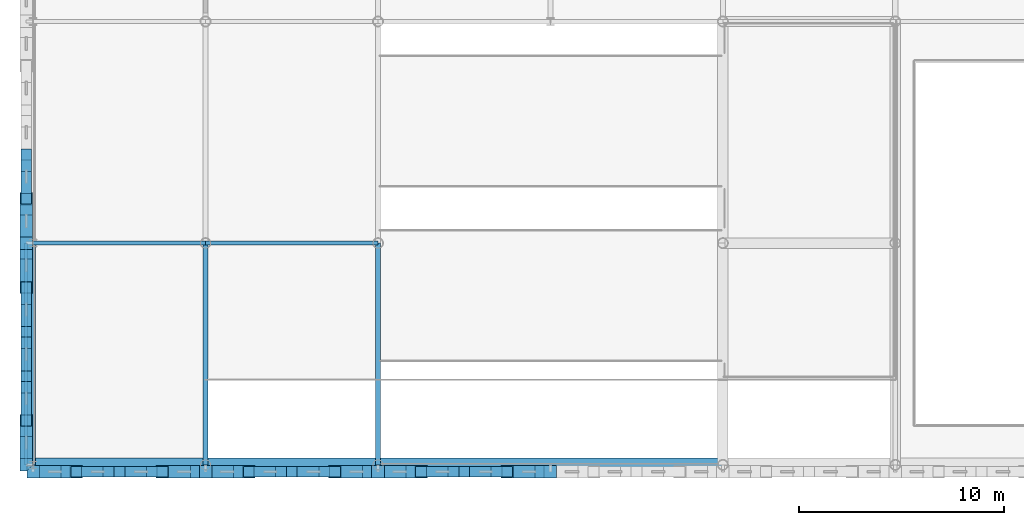
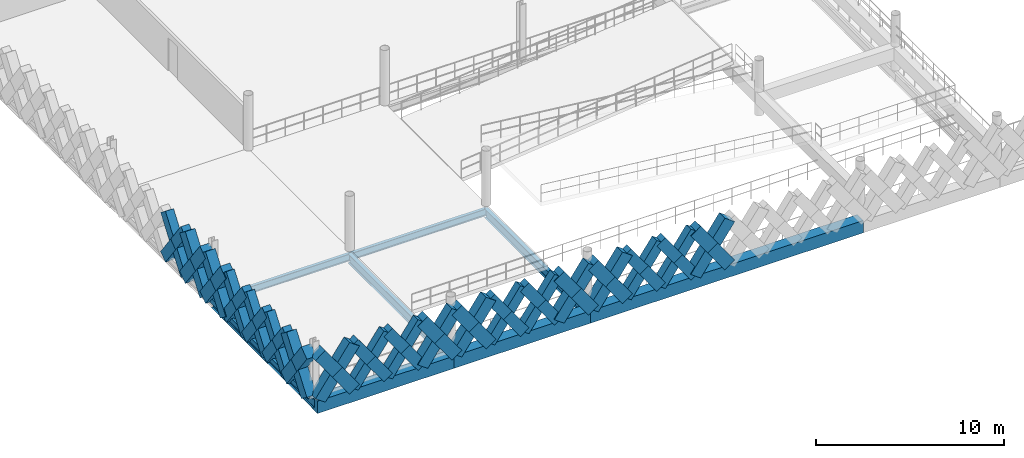
# One storey, part 14 of 62: 58 members, 8 beams.
"""IFC4 building model written with IfcOpenShell, lengths in metres."""

from ifc_helpers import new_model, si_unit, direction, frame, origin, origin_2d, place, context, subcontext, project, spatial, rectangle, hollow_rectangle, i_section, extrude, material, material_profile, profile_set, type_object, element, save


model = new_model("IFC4")

# Units and contexts
model_context = context("Model", 3, precision=1e-05, world=origin(), true_north=direction((0.0, 1.0)))
body_context = subcontext(model_context, "Body", "Model", "MODEL_VIEW")
ifc_project = project(units=[si_unit("LENGTHUNIT", "METRE"), si_unit("AREAUNIT", "SQUARE_METRE"), si_unit("VOLUMEUNIT", "CUBIC_METRE"), si_unit("PLANEANGLEUNIT", "RADIAN"), si_unit("MASSUNIT", "GRAM", prefix="KILO"), si_unit("THERMODYNAMICTEMPERATUREUNIT", "KELVIN"), si_unit("POWERUNIT", "WATT")], contexts=[model_context])

# Site, building, storey
site_placement = place(None, origin())
site = spatial("IfcSite", under=ifc_project, at=site_placement, CompositionType="ELEMENT")
building_placement = place(site_placement, origin())
building = spatial("IfcBuilding", under=site, at=building_placement, Name="Tembeka Court Mobility Hub", CompositionType="ELEMENT")
storey_placement = place(building_placement, frame((0.0, 0.0, 16.199951171875)))
storey = spatial("IfcBuildingStorey", under=building, at=storey_placement, Name="L04", CompositionType="ELEMENT", Elevation=16.199951171875)

# Beams
ifc_material_1 = material(Name="Steel S355", Category="steel")
ifc_material_profile_1 = material_profile(ifc_material_1, i_section(OverallWidth=0.18994140625, OverallDepth=0.45703125, WebThickness=0.009033203125, FlangeThickness=0.014404296875, FilletRadius=0.01025390625, at=origin_2d()), Name="UKB 457x191x74")
ifc_profile_set_1 = profile_set([ifc_material_profile_1], Name="Steel S355")
beam_type_1 = type_object("IfcBeamType", Name="BM-B01", PredefinedType="BEAM", material=ifc_profile_set_1)
beam_1_placement = place(storey_placement, frame((0.0, 10.800048828125, -0.478515625), z_axis=(1.0, 0.0, 0.0), x_axis=(0.0, 1.0, 0.0)))
element("IfcBeam", 1, at=beam_1_placement, inside=storey, type_object=beam_type_1, Name="Beam B01 (BM-L04-X2199)", PredefinedType="BEAM", context=body_context, shape_type="SweptSolid", body=[
    extrude(i_section(OverallWidth=0.18994140625, OverallDepth=0.45703125, WebThickness=0.009033203125, FlangeThickness=0.014404296875, FilletRadius=0.01025390625, at=origin_2d()), origin(), (0.0, 0.0, 1.0), 8.39990234375),
])
beam_2_placement = place(storey_placement, frame((8.39990234375, 10.800048828125, -0.478515625), z_axis=(1.0, 0.0, 0.0), x_axis=(0.0, 1.0, 0.0)))
element("IfcBeam", 2, at=beam_2_placement, inside=storey, type_object=beam_type_1, Name="Beam B01 (BM-L04-X2200)", PredefinedType="BEAM", context=body_context, shape_type="SweptSolid", body=[
    extrude(i_section(OverallWidth=0.18994140625, OverallDepth=0.45703125, WebThickness=0.009033203125, FlangeThickness=0.014404296875, FilletRadius=0.01025390625, at=origin_2d()), origin(), (0.0, 0.0, 1.0), 8.400146484375),
])
ifc_material_profile_2 = material_profile(ifc_material_1, i_section(OverallWidth=0.22900390625, OverallDepth=0.612060546875, WebThickness=0.011962890625, FlangeThickness=0.01953125, FilletRadius=0.0126953125, at=origin_2d()), Name="UKB 610x229x125")
ifc_profile_set_2 = profile_set([ifc_material_profile_2], Name="Steel S355")
beam_type_2 = type_object("IfcBeamType", Name="BM-G02", PredefinedType="USERDEFINED", material=ifc_profile_set_2)
for number, where, z_axis, x_axis, name in (
    (3, (0.0, 0.0, -0.52587890625), (0.0, 1.0, 0.0), (-1.0, 0.0, 0.0), "Beam G02 (BM-L04-Y2313)"),
    (4, (8.39990234375, 0.0, -0.555908203125), (0.0, 1.0, 0.0), (-1.0, 0.0, 0.0), "Beam G02 (BM-L04-Y2324)"),
    (5, (16.800048828125, 0.0, -0.555908203125), (0.0, 1.0, 0.0), (-1.0, 0.0, 0.0), "Beam G02 (BM-L04-Y2335)"),
):
    element("IfcBeam", number, at=place(storey_placement, frame(where, z_axis=z_axis, x_axis=x_axis)), inside=storey, type_object=beam_type_2, Name=name, ObjectType="GIRDER", PredefinedType="USERDEFINED", context=body_context, shape_type="SweptSolid", body=[
        extrude(i_section(OverallWidth=0.22900390625, OverallDepth=0.612060546875, WebThickness=0.011962890625, FlangeThickness=0.01953125, FilletRadius=0.0126953125, at=origin_2d()), origin(), (0.0, 0.0, 1.0), 10.800048828125),
    ])
ifc_material_2 = material(Name="Precast concrete C45/55", Category="concrete")
ifc_material_profile_3 = material_profile(ifc_material_2, rectangle(XDim=0.64990234375, YDim=0.800048828125, at=origin_2d()), Name="PC-SP 650x800")
ifc_profile_set_3 = profile_set([ifc_material_profile_3], Name="Precast concrete C45/55")
beam_type_3 = type_object("IfcBeamType", Name="BM-SP01", PredefinedType="SPANDREL", material=ifc_profile_set_3)
beam_3_placement = place(storey_placement, frame((0.0, 0.0, -0.619873046875), z_axis=(1.0, 0.0, 0.0), x_axis=(0.0, 1.0, 0.0)))
element("IfcBeam", 6, at=beam_3_placement, inside=storey, type_object=beam_type_3, Name="Beam SP01 (BM-L04-X2185)", PredefinedType="SPANDREL", context=body_context, shape_type="SweptSolid", body=[
    extrude(rectangle(XDim=0.64990234375, YDim=0.800048828125, at=origin_2d()), origin(), (0.0, 0.0, 1.0), 8.39990234375),
])
beam_4_placement = place(storey_placement, frame((8.39990234375, 0.0, -0.619873046875), z_axis=(1.0, 0.0, 0.0), x_axis=(0.0, 1.0, 0.0)))
element("IfcBeam", 7, at=beam_4_placement, inside=storey, type_object=beam_type_3, Name="Beam SP01 (BM-L04-X2186)", PredefinedType="SPANDREL", context=body_context, shape_type="SweptSolid", body=[
    extrude(rectangle(XDim=0.64990234375, YDim=0.800048828125, at=origin_2d()), origin(), (0.0, 0.0, 1.0), 8.400146484375),
])
beam_5_placement = place(storey_placement, frame((16.800048828125, 0.0, -0.619873046875), z_axis=(1.0, 0.0, 0.0), x_axis=(0.0, 1.0, 0.0)))
element("IfcBeam", 8, at=beam_5_placement, inside=storey, type_object=beam_type_3, Name="Beam SP01 (BM-L04-X2187)", PredefinedType="SPANDREL", context=body_context, shape_type="SweptSolid", body=[
    extrude(rectangle(XDim=0.64990234375, YDim=0.800048828125, at=origin_2d()), origin(), (0.0, 0.0, 1.0), 16.800048828125),
])

# Members
ifc_material_profile_4 = material_profile(ifc_material_2, rectangle(XDim=0.5, YDim=0.64990234375, at=origin_2d()), Name="PC-DIAG 500x650")
ifc_profile_set_4 = profile_set([ifc_material_profile_4], Name="Precast concrete C45/55")
member_type_1 = type_object("IfcMemberType", Name="MEM-DL01", PredefinedType="BRACE", material=ifc_profile_set_4)
member_1_placement = place(storey_placement, frame((2.10009765625, -0.340087890625, 0.02001953125), z_axis=(0.58253161945, 0.0, 0.812808041509), x_axis=(0.0, 1.0, 0.0)))
element("IfcMember", 9, at=member_1_placement, inside=storey, type_object=member_type_1, Name="Precast diamond lattice continuous strand DL01 (L04-590A)", PredefinedType="BRACE", context=body_context, shape_type="SweptSolid", body=[
    extrude(rectangle(XDim=0.5, YDim=0.64990234375, at=origin_2d()), origin(), (0.0, 0.0, 1.0), 3.604736328125),
])
member_2_placement = place(storey_placement, frame((4.199951171875, -0.340087890625, 0.02001953125), z_axis=(-0.582544294934, 0.0, 0.812798956963), x_axis=(0.0, -1.0, 0.0)))
element("IfcMember", 10, at=member_2_placement, inside=storey, type_object=member_type_1, Name="Precast diamond lattice split lower strand DL01 (L04-590B1)", PredefinedType="BRACE", context=body_context, shape_type="SweptSolid", body=[
    extrude(rectangle(XDim=0.5, YDim=0.64990234375, at=origin_2d()), origin(), (0.0, 0.0, 1.0), 1.802490234375),
])
member_3_placement = place(storey_placement, frame((3.14990234375, -0.340087890625, 1.485107421875), z_axis=(-0.582518941428, 0.0, 0.812817127574), x_axis=(0.0, -1.0, 0.0)))
element("IfcMember", 11, at=member_3_placement, inside=storey, type_object=member_type_1, Name="Precast diamond lattice split upper strand DL01 (L04-590B2)", PredefinedType="BRACE", context=body_context, shape_type="SweptSolid", body=[
    extrude(rectangle(XDim=0.5, YDim=0.64990234375, at=origin_2d()), origin(), (0.0, 0.0, 1.0), 1.80224609375),
])
member_4_placement = place(storey_placement, frame((4.199951171875, -0.340087890625, 0.02001953125), z_axis=(0.582576362011, 0.0, 0.812775973086), x_axis=(0.0, 1.0, 0.0)))
element("IfcMember", 12, at=member_4_placement, inside=storey, type_object=member_type_1, Name="Precast diamond lattice continuous strand DL01 (L04-591A)", PredefinedType="BRACE", context=body_context, shape_type="SweptSolid", body=[
    extrude(rectangle(XDim=0.5, YDim=0.64990234375, at=origin_2d()), origin(), (0.0, 0.0, 1.0), 3.604736328125),
])
member_5_placement = place(storey_placement, frame((6.300048828125, -0.340087890625, 0.02001953125), z_axis=(-0.582544294934, 0.0, 0.812798956963), x_axis=(0.0, -1.0, 0.0)))
element("IfcMember", 13, at=member_5_placement, inside=storey, type_object=member_type_1, Name="Precast diamond lattice split lower strand DL01 (L04-591B1)", PredefinedType="BRACE", context=body_context, shape_type="SweptSolid", body=[
    extrude(rectangle(XDim=0.5, YDim=0.64990234375, at=origin_2d()), origin(), (0.0, 0.0, 1.0), 1.802490234375),
])
member_6_placement = place(storey_placement, frame((5.25, -0.340087890625, 1.485107421875), z_axis=(-0.582608431711, 0.0, 0.812752985414), x_axis=(0.0, -1.0, 0.0)))
element("IfcMember", 14, at=member_6_placement, inside=storey, type_object=member_type_1, Name="Precast diamond lattice split upper strand DL01 (L04-591B2)", PredefinedType="BRACE", context=body_context, shape_type="SweptSolid", body=[
    extrude(rectangle(XDim=0.5, YDim=0.64990234375, at=origin_2d()), origin(), (0.0, 0.0, 1.0), 1.80224609375),
])
member_7_placement = place(storey_placement, frame((10.5, -0.340087890625, 0.02001953125), z_axis=(0.582576362011, 0.0, 0.812775973086), x_axis=(0.0, 1.0, 0.0)))
element("IfcMember", 15, at=member_7_placement, inside=storey, type_object=member_type_1, Name="Precast diamond lattice continuous strand DL01 (L04-594A)", PredefinedType="BRACE", context=body_context, shape_type="SweptSolid", body=[
    extrude(rectangle(XDim=0.5, YDim=0.64990234375, at=origin_2d()), origin(), (0.0, 0.0, 1.0), 3.604736328125),
])
member_8_placement = place(storey_placement, frame((12.60009765625, -0.340087890625, 0.02001953125), z_axis=(-0.582544294934, 0.0, 0.812798956963), x_axis=(0.0, -1.0, 0.0)))
element("IfcMember", 16, at=member_8_placement, inside=storey, type_object=member_type_1, Name="Precast diamond lattice split lower strand DL01 (L04-594B1)", PredefinedType="BRACE", context=body_context, shape_type="SweptSolid", body=[
    extrude(rectangle(XDim=0.5, YDim=0.64990234375, at=origin_2d()), origin(), (0.0, 0.0, 1.0), 1.802490234375),
])
member_9_placement = place(storey_placement, frame((11.550048828125, -0.340087890625, 1.485107421875), z_axis=(-0.582608431711, 0.0, 0.812752985414), x_axis=(0.0, -1.0, 0.0)))
element("IfcMember", 17, at=member_9_placement, inside=storey, type_object=member_type_1, Name="Precast diamond lattice split upper strand DL01 (L04-594B2)", PredefinedType="BRACE", context=body_context, shape_type="SweptSolid", body=[
    extrude(rectangle(XDim=0.5, YDim=0.64990234375, at=origin_2d()), origin(), (0.0, 0.0, 1.0), 1.80224609375),
])
member_10_placement = place(storey_placement, frame((12.60009765625, -0.340087890625, 0.02001953125), z_axis=(0.58253161945, 0.0, 0.812808041509), x_axis=(0.0, 1.0, 0.0)))
element("IfcMember", 18, at=member_10_placement, inside=storey, type_object=member_type_1, Name="Precast diamond lattice continuous strand DL01 (L04-595A)", PredefinedType="BRACE", context=body_context, shape_type="SweptSolid", body=[
    extrude(rectangle(XDim=0.5, YDim=0.64990234375, at=origin_2d()), origin(), (0.0, 0.0, 1.0), 3.604736328125),
])
member_11_placement = place(storey_placement, frame((14.699951171875, -0.340087890625, 0.02001953125), z_axis=(-0.582544294934, 0.0, 0.812798956963), x_axis=(0.0, -1.0, 0.0)))
element("IfcMember", 19, at=member_11_placement, inside=storey, type_object=member_type_1, Name="Precast diamond lattice split lower strand DL01 (L04-595B1)", PredefinedType="BRACE", context=body_context, shape_type="SweptSolid", body=[
    extrude(rectangle(XDim=0.5, YDim=0.64990234375, at=origin_2d()), origin(), (0.0, 0.0, 1.0), 1.802490234375),
])
member_12_placement = place(storey_placement, frame((13.64990234375, -0.340087890625, 1.485107421875), z_axis=(-0.582518941428, 0.0, 0.812817127574), x_axis=(0.0, -1.0, 0.0)))
element("IfcMember", 20, at=member_12_placement, inside=storey, type_object=member_type_1, Name="Precast diamond lattice split upper strand DL01 (L04-595B2)", PredefinedType="BRACE", context=body_context, shape_type="SweptSolid", body=[
    extrude(rectangle(XDim=0.5, YDim=0.64990234375, at=origin_2d()), origin(), (0.0, 0.0, 1.0), 1.80224609375),
])
member_13_placement = place(storey_placement, frame((18.89990234375, -0.340087890625, 0.02001953125), z_axis=(0.582576362011, 0.0, 0.812775973086), x_axis=(0.0, 1.0, 0.0)))
element("IfcMember", 21, at=member_13_placement, inside=storey, type_object=member_type_1, Name="Precast diamond lattice continuous strand DL01 (L04-598A)", PredefinedType="BRACE", context=body_context, shape_type="SweptSolid", body=[
    extrude(rectangle(XDim=0.5, YDim=0.64990234375, at=origin_2d()), origin(), (0.0, 0.0, 1.0), 3.604736328125),
])
member_14_placement = place(storey_placement, frame((21.0, -0.340087890625, 0.02001953125), z_axis=(-0.582544294934, 0.0, 0.812798956963), x_axis=(0.0, -1.0, 0.0)))
element("IfcMember", 22, at=member_14_placement, inside=storey, type_object=member_type_1, Name="Precast diamond lattice split lower strand DL01 (L04-598B1)", PredefinedType="BRACE", context=body_context, shape_type="SweptSolid", body=[
    extrude(rectangle(XDim=0.5, YDim=0.64990234375, at=origin_2d()), origin(), (0.0, 0.0, 1.0), 1.802490234375),
])
member_15_placement = place(storey_placement, frame((19.949951171875, -0.340087890625, 1.485107421875), z_axis=(-0.582608431711, 0.0, 0.812752985414), x_axis=(0.0, -1.0, 0.0)))
element("IfcMember", 23, at=member_15_placement, inside=storey, type_object=member_type_1, Name="Precast diamond lattice split upper strand DL01 (L04-598B2)", PredefinedType="BRACE", context=body_context, shape_type="SweptSolid", body=[
    extrude(rectangle(XDim=0.5, YDim=0.64990234375, at=origin_2d()), origin(), (0.0, 0.0, 1.0), 1.80224609375),
])
member_16_placement = place(storey_placement, frame((21.0, -0.340087890625, 0.02001953125), z_axis=(0.582576362011, 0.0, 0.812775973086), x_axis=(0.0, 1.0, 0.0)))
element("IfcMember", 24, at=member_16_placement, inside=storey, type_object=member_type_1, Name="Precast diamond lattice continuous strand DL01 (L04-599A)", PredefinedType="BRACE", context=body_context, shape_type="SweptSolid", body=[
    extrude(rectangle(XDim=0.5, YDim=0.64990234375, at=origin_2d()), origin(), (0.0, 0.0, 1.0), 3.604736328125),
])
member_17_placement = place(storey_placement, frame((23.10009765625, -0.340087890625, 0.02001953125), z_axis=(-0.582544294934, 0.0, 0.812798956963), x_axis=(0.0, -1.0, 0.0)))
element("IfcMember", 25, at=member_17_placement, inside=storey, type_object=member_type_1, Name="Precast diamond lattice split lower strand DL01 (L04-599B1)", PredefinedType="BRACE", context=body_context, shape_type="SweptSolid", body=[
    extrude(rectangle(XDim=0.5, YDim=0.64990234375, at=origin_2d()), origin(), (0.0, 0.0, 1.0), 1.802490234375),
])
member_18_placement = place(storey_placement, frame((22.050048828125, -0.340087890625, 1.485107421875), z_axis=(-0.582608431711, 0.0, 0.812752985414), x_axis=(0.0, -1.0, 0.0)))
element("IfcMember", 26, at=member_18_placement, inside=storey, type_object=member_type_1, Name="Precast diamond lattice split upper strand DL01 (L04-599B2)", PredefinedType="BRACE", context=body_context, shape_type="SweptSolid", body=[
    extrude(rectangle(XDim=0.5, YDim=0.64990234375, at=origin_2d()), origin(), (0.0, 0.0, 1.0), 1.80224609375),
])
member_19_placement = place(storey_placement, frame((-0.340087890625, 2.159912109375, 0.02001953125), z_axis=(0.0, 0.593423219328, 0.804890602978), x_axis=(-1.0, 0.0, 0.0)))
element("IfcMember", 27, at=member_19_placement, inside=storey, type_object=member_type_1, Name="Precast diamond lattice continuous strand DL01 (L04-678C)", PredefinedType="BRACE", context=body_context, shape_type="SweptSolid", body=[
    extrude(rectangle(XDim=0.5, YDim=0.64990234375, at=origin_2d()), origin(), (0.0, 0.0, 1.0), 3.64013671875),
])
for number, where, z_axis, x_axis, name in (
    (28, (-0.340087890625, 4.320068359375, 0.02001953125), (0.0, -0.593391185876, 0.804914219358), (1.0, 0.0, 0.0), "Precast diamond lattice split lower strand DL01 (L04-678D1)"),
    (29, (-0.340087890625, 3.239990234375, 1.485107421875), (0.0, -0.593455255298, 0.804866982773), (1.0, 0.0, 0.0), "Precast diamond lattice split upper strand DL01 (L04-678D2)"),
):
    element("IfcMember", number, at=place(storey_placement, frame(where, z_axis=z_axis, x_axis=x_axis)), inside=storey, type_object=member_type_1, Name=name, PredefinedType="BRACE", context=body_context, shape_type="SweptSolid", body=[
        extrude(rectangle(XDim=0.5, YDim=0.64990234375, at=origin_2d()), origin(), (0.0, 0.0, 1.0), 1.820068359375),
    ])
member_20_placement = place(storey_placement, frame((-0.340087890625, 4.320068359375, 0.02001953125), z_axis=(0.0, 0.593379766398, 0.804922637792), x_axis=(-1.0, 0.0, 0.0)))
element("IfcMember", 30, at=member_20_placement, inside=storey, type_object=member_type_1, Name="Precast diamond lattice continuous strand DL01 (L04-679C)", PredefinedType="BRACE", context=body_context, shape_type="SweptSolid", body=[
    extrude(rectangle(XDim=0.5, YDim=0.64990234375, at=origin_2d()), origin(), (0.0, 0.0, 1.0), 3.64013671875),
])
member_21_placement = place(storey_placement, frame((-0.340087890625, 6.47998046875, 0.02001953125), z_axis=(0.0, -0.593391185876, 0.804914219358), x_axis=(1.0, 0.0, 0.0)))
element("IfcMember", 31, at=member_21_placement, inside=storey, type_object=member_type_1, Name="Precast diamond lattice split lower strand DL01 (L04-679D1)", PredefinedType="BRACE", context=body_context, shape_type="SweptSolid", body=[
    extrude(rectangle(XDim=0.5, YDim=0.64990234375, at=origin_2d()), origin(), (0.0, 0.0, 1.0), 1.820068359375),
])
member_22_placement = place(storey_placement, frame((-0.340087890625, 5.39990234375, 1.485107421875), z_axis=(0.0, -0.593368344659, 0.804931057642), x_axis=(1.0, 0.0, 0.0)))
element("IfcMember", 32, at=member_22_placement, inside=storey, type_object=member_type_1, Name="Precast diamond lattice split upper strand DL01 (L04-679D2)", PredefinedType="BRACE", context=body_context, shape_type="SweptSolid", body=[
    extrude(rectangle(XDim=0.5, YDim=0.64990234375, at=origin_2d()), origin(), (0.0, 0.0, 1.0), 1.81982421875),
])
member_23_placement = place(storey_placement, frame((-0.340087890625, 6.47998046875, 0.02001953125), z_axis=(0.0, 0.593379766398, 0.804922637792), x_axis=(-1.0, 0.0, 0.0)))
element("IfcMember", 33, at=member_23_placement, inside=storey, type_object=member_type_1, Name="Precast diamond lattice continuous strand DL01 (L04-680C)", PredefinedType="BRACE", context=body_context, shape_type="SweptSolid", body=[
    extrude(rectangle(XDim=0.5, YDim=0.64990234375, at=origin_2d()), origin(), (0.0, 0.0, 1.0), 3.64013671875),
])
for number, where, z_axis, x_axis, name in (
    (34, (-0.340087890625, 8.639892578125, 0.02001953125), (0.0, -0.593304274421, 0.804978284151), (1.0, 0.0, 0.0), "Precast diamond lattice split lower strand DL01 (L04-680D1)"),
    (35, (-0.340087890625, 7.56005859375, 1.485107421875), (0.0, -0.593455255298, 0.804866982773), (1.0, 0.0, 0.0), "Precast diamond lattice split upper strand DL01 (L04-680D2)"),
):
    element("IfcMember", number, at=place(storey_placement, frame(where, z_axis=z_axis, x_axis=x_axis)), inside=storey, type_object=member_type_1, Name=name, PredefinedType="BRACE", context=body_context, shape_type="SweptSolid", body=[
        extrude(rectangle(XDim=0.5, YDim=0.64990234375, at=origin_2d()), origin(), (0.0, 0.0, 1.0), 1.820068359375),
    ])
member_24_placement = place(storey_placement, frame((-0.340087890625, 12.9599609375, 0.02001953125), z_axis=(0.0, 0.593423219328, 0.804890602978), x_axis=(-1.0, 0.0, 0.0)))
element("IfcMember", 36, at=member_24_placement, inside=storey, type_object=member_type_1, Name="Precast diamond lattice continuous strand DL01 (L04-683C)", PredefinedType="BRACE", context=body_context, shape_type="SweptSolid", body=[
    extrude(rectangle(XDim=0.5, YDim=0.64990234375, at=origin_2d()), origin(), (0.0, 0.0, 1.0), 3.64013671875),
])
for number, where, z_axis, x_axis, name in (
    (37, (-0.340087890625, 15.1201171875, 0.02001953125), (0.0, -0.593391185876, 0.804914219358), (1.0, 0.0, 0.0), "Precast diamond lattice split lower strand DL01 (L04-683D1)"),
    (38, (-0.340087890625, 14.0400390625, 1.485107421875), (0.0, -0.593455255298, 0.804866982773), (1.0, 0.0, 0.0), "Precast diamond lattice split upper strand DL01 (L04-683D2)"),
):
    element("IfcMember", number, at=place(storey_placement, frame(where, z_axis=z_axis, x_axis=x_axis)), inside=storey, type_object=member_type_1, Name=name, PredefinedType="BRACE", context=body_context, shape_type="SweptSolid", body=[
        extrude(rectangle(XDim=0.5, YDim=0.64990234375, at=origin_2d()), origin(), (0.0, 0.0, 1.0), 1.820068359375),
    ])
ifc_material_profile_5 = material_profile(ifc_material_2, rectangle(XDim=0.60009765625, YDim=0.75, at=origin_2d()), Name="PC-DIAG 600x750")
ifc_profile_set_5 = profile_set([ifc_material_profile_5], Name="Precast concrete C45/55")
member_type_2 = type_object("IfcMemberType", Name="MEM-DL02", PredefinedType="BRACE", material=ifc_profile_set_5)
member_25_placement = place(storey_placement, frame((0.0, -0.340087890625, 0.02001953125), z_axis=(0.582576362011, 0.0, 0.812775973086), x_axis=(0.0, 1.0, 0.0)))
element("IfcMember", 39, at=member_25_placement, inside=storey, type_object=member_type_2, Name="Precast diamond lattice continuous strand DL02 (L04-589A)", PredefinedType="BRACE", context=body_context, shape_type="SweptSolid", body=[
    extrude(rectangle(XDim=0.60009765625, YDim=0.75, at=origin_2d()), origin(), (0.0, 0.0, 1.0), 3.604736328125),
])
member_26_placement = place(storey_placement, frame((2.10009765625, -0.340087890625, 0.02001953125), z_axis=(-0.582544294934, 0.0, 0.812798956963), x_axis=(0.0, -1.0, 0.0)))
element("IfcMember", 40, at=member_26_placement, inside=storey, type_object=member_type_2, Name="Precast diamond lattice split lower strand DL02 (L04-589B1)", PredefinedType="BRACE", context=body_context, shape_type="SweptSolid", body=[
    extrude(rectangle(XDim=0.60009765625, YDim=0.75, at=origin_2d()), origin(), (0.0, 0.0, 1.0), 1.802490234375),
])
member_27_placement = place(storey_placement, frame((1.050048828125, -0.340087890625, 1.485107421875), z_axis=(-0.582608431711, 0.0, 0.812752985414), x_axis=(0.0, -1.0, 0.0)))
element("IfcMember", 41, at=member_27_placement, inside=storey, type_object=member_type_2, Name="Precast diamond lattice split upper strand DL02 (L04-589B2)", PredefinedType="BRACE", context=body_context, shape_type="SweptSolid", body=[
    extrude(rectangle(XDim=0.60009765625, YDim=0.75, at=origin_2d()), origin(), (0.0, 0.0, 1.0), 1.80224609375),
])
member_28_placement = place(storey_placement, frame((6.300048828125, -0.340087890625, 0.02001953125), z_axis=(0.58253161945, 0.0, 0.812808041509), x_axis=(0.0, 1.0, 0.0)))
element("IfcMember", 42, at=member_28_placement, inside=storey, type_object=member_type_2, Name="Precast diamond lattice continuous strand DL02 (L04-592A)", PredefinedType="BRACE", context=body_context, shape_type="SweptSolid", body=[
    extrude(rectangle(XDim=0.60009765625, YDim=0.75, at=origin_2d()), origin(), (0.0, 0.0, 1.0), 3.604736328125),
])
member_29_placement = place(storey_placement, frame((8.39990234375, -0.340087890625, 0.02001953125), z_axis=(-0.582454804382, 0.0, 0.812863088627), x_axis=(0.0, -1.0, 0.0)))
element("IfcMember", 43, at=member_29_placement, inside=storey, type_object=member_type_2, Name="Precast diamond lattice split lower strand DL02 (L04-592B1)", PredefinedType="BRACE", context=body_context, shape_type="SweptSolid", body=[
    extrude(rectangle(XDim=0.60009765625, YDim=0.75, at=origin_2d()), origin(), (0.0, 0.0, 1.0), 1.802490234375),
])
member_30_placement = place(storey_placement, frame((7.35009765625, -0.340087890625, 1.485107421875), z_axis=(-0.582608431711, 0.0, 0.812752985414), x_axis=(0.0, -1.0, 0.0)))
element("IfcMember", 44, at=member_30_placement, inside=storey, type_object=member_type_2, Name="Precast diamond lattice split upper strand DL02 (L04-592B2)", PredefinedType="BRACE", context=body_context, shape_type="SweptSolid", body=[
    extrude(rectangle(XDim=0.60009765625, YDim=0.75, at=origin_2d()), origin(), (0.0, 0.0, 1.0), 1.80224609375),
])
member_31_placement = place(storey_placement, frame((8.39990234375, -0.340087890625, 0.02001953125), z_axis=(0.582576362011, 0.0, 0.812775973086), x_axis=(0.0, 1.0, 0.0)))
element("IfcMember", 45, at=member_31_placement, inside=storey, type_object=member_type_2, Name="Precast diamond lattice continuous strand DL02 (L04-593A)", PredefinedType="BRACE", context=body_context, shape_type="SweptSolid", body=[
    extrude(rectangle(XDim=0.60009765625, YDim=0.75, at=origin_2d()), origin(), (0.0, 0.0, 1.0), 3.604736328125),
])
member_32_placement = place(storey_placement, frame((10.5, -0.340087890625, 0.02001953125), z_axis=(-0.582544294934, 0.0, 0.812798956963), x_axis=(0.0, -1.0, 0.0)))
element("IfcMember", 46, at=member_32_placement, inside=storey, type_object=member_type_2, Name="Precast diamond lattice split lower strand DL02 (L04-593B1)", PredefinedType="BRACE", context=body_context, shape_type="SweptSolid", body=[
    extrude(rectangle(XDim=0.60009765625, YDim=0.75, at=origin_2d()), origin(), (0.0, 0.0, 1.0), 1.802490234375),
])
member_33_placement = place(storey_placement, frame((9.449951171875, -0.340087890625, 1.485107421875), z_axis=(-0.582608431711, 0.0, 0.812752985414), x_axis=(0.0, -1.0, 0.0)))
element("IfcMember", 47, at=member_33_placement, inside=storey, type_object=member_type_2, Name="Precast diamond lattice split upper strand DL02 (L04-593B2)", PredefinedType="BRACE", context=body_context, shape_type="SweptSolid", body=[
    extrude(rectangle(XDim=0.60009765625, YDim=0.75, at=origin_2d()), origin(), (0.0, 0.0, 1.0), 1.80224609375),
])
member_34_placement = place(storey_placement, frame((14.699951171875, -0.340087890625, 0.02001953125), z_axis=(0.582576362011, 0.0, 0.812775973086), x_axis=(0.0, 1.0, 0.0)))
element("IfcMember", 48, at=member_34_placement, inside=storey, type_object=member_type_2, Name="Precast diamond lattice continuous strand DL02 (L04-596A)", PredefinedType="BRACE", context=body_context, shape_type="SweptSolid", body=[
    extrude(rectangle(XDim=0.60009765625, YDim=0.75, at=origin_2d()), origin(), (0.0, 0.0, 1.0), 3.604736328125),
])
member_35_placement = place(storey_placement, frame((16.800048828125, -0.340087890625, 0.02001953125), z_axis=(-0.582544294934, 0.0, 0.812798956963), x_axis=(0.0, -1.0, 0.0)))
element("IfcMember", 49, at=member_35_placement, inside=storey, type_object=member_type_2, Name="Precast diamond lattice split lower strand DL02 (L04-596B1)", PredefinedType="BRACE", context=body_context, shape_type="SweptSolid", body=[
    extrude(rectangle(XDim=0.60009765625, YDim=0.75, at=origin_2d()), origin(), (0.0, 0.0, 1.0), 1.802490234375),
])
member_36_placement = place(storey_placement, frame((15.75, -0.340087890625, 1.485107421875), z_axis=(-0.582608431711, 0.0, 0.812752985414), x_axis=(0.0, -1.0, 0.0)))
element("IfcMember", 50, at=member_36_placement, inside=storey, type_object=member_type_2, Name="Precast diamond lattice split upper strand DL02 (L04-596B2)", PredefinedType="BRACE", context=body_context, shape_type="SweptSolid", body=[
    extrude(rectangle(XDim=0.60009765625, YDim=0.75, at=origin_2d()), origin(), (0.0, 0.0, 1.0), 1.80224609375),
])
member_37_placement = place(storey_placement, frame((16.800048828125, -0.340087890625, 0.02001953125), z_axis=(0.58253161945, 0.0, 0.812808041509), x_axis=(0.0, 1.0, 0.0)))
element("IfcMember", 51, at=member_37_placement, inside=storey, type_object=member_type_2, Name="Precast diamond lattice continuous strand DL02 (L04-597A)", PredefinedType="BRACE", context=body_context, shape_type="SweptSolid", body=[
    extrude(rectangle(XDim=0.60009765625, YDim=0.75, at=origin_2d()), origin(), (0.0, 0.0, 1.0), 3.604736328125),
])
member_38_placement = place(storey_placement, frame((18.89990234375, -0.340087890625, 0.02001953125), z_axis=(-0.582454804382, 0.0, 0.812863088627), x_axis=(0.0, -1.0, 0.0)))
element("IfcMember", 52, at=member_38_placement, inside=storey, type_object=member_type_2, Name="Precast diamond lattice split lower strand DL02 (L04-597B1)", PredefinedType="BRACE", context=body_context, shape_type="SweptSolid", body=[
    extrude(rectangle(XDim=0.60009765625, YDim=0.75, at=origin_2d()), origin(), (0.0, 0.0, 1.0), 1.802490234375),
])
member_39_placement = place(storey_placement, frame((17.85009765625, -0.340087890625, 1.485107421875), z_axis=(-0.582608431711, 0.0, 0.812752985414), x_axis=(0.0, -1.0, 0.0)))
element("IfcMember", 53, at=member_39_placement, inside=storey, type_object=member_type_2, Name="Precast diamond lattice split upper strand DL02 (L04-597B2)", PredefinedType="BRACE", context=body_context, shape_type="SweptSolid", body=[
    extrude(rectangle(XDim=0.60009765625, YDim=0.75, at=origin_2d()), origin(), (0.0, 0.0, 1.0), 1.80224609375),
])
member_40_placement = place(storey_placement, frame((23.10009765625, -0.340087890625, 0.02001953125), z_axis=(0.58253161945, 0.0, 0.812808041509), x_axis=(0.0, 1.0, 0.0)))
element("IfcMember", 54, at=member_40_placement, inside=storey, type_object=member_type_2, Name="Precast diamond lattice continuous strand DL02 (L04-600A)", PredefinedType="BRACE", context=body_context, shape_type="SweptSolid", body=[
    extrude(rectangle(XDim=0.60009765625, YDim=0.75, at=origin_2d()), origin(), (0.0, 0.0, 1.0), 3.604736328125),
])
member_41_placement = place(storey_placement, frame((25.199951171875, -0.340087890625, 0.02001953125), z_axis=(-0.582544294934, 0.0, 0.812798956963), x_axis=(0.0, -1.0, 0.0)))
element("IfcMember", 55, at=member_41_placement, inside=storey, type_object=member_type_2, Name="Precast diamond lattice split lower strand DL02 (L04-600B1)", PredefinedType="BRACE", context=body_context, shape_type="SweptSolid", body=[
    extrude(rectangle(XDim=0.60009765625, YDim=0.75, at=origin_2d()), origin(), (0.0, 0.0, 1.0), 1.802490234375),
])
member_42_placement = place(storey_placement, frame((24.14990234375, -0.340087890625, 1.485107421875), z_axis=(-0.582518941428, 0.0, 0.812817127574), x_axis=(0.0, -1.0, 0.0)))
element("IfcMember", 56, at=member_42_placement, inside=storey, type_object=member_type_2, Name="Precast diamond lattice split upper strand DL02 (L04-600B2)", PredefinedType="BRACE", context=body_context, shape_type="SweptSolid", body=[
    extrude(rectangle(XDim=0.60009765625, YDim=0.75, at=origin_2d()), origin(), (0.0, 0.0, 1.0), 1.80224609375),
])
member_43_placement = place(storey_placement, frame((-0.340087890625, 0.0, 0.02001953125), z_axis=(0.0, 0.593379766398, 0.804922637792), x_axis=(-1.0, 0.0, 0.0)))
element("IfcMember", 57, at=member_43_placement, inside=storey, type_object=member_type_2, Name="Precast diamond lattice continuous strand DL02 (L04-677C)", PredefinedType="BRACE", context=body_context, shape_type="SweptSolid", body=[
    extrude(rectangle(XDim=0.60009765625, YDim=0.75, at=origin_2d()), origin(), (0.0, 0.0, 1.0), 3.64013671875),
])
for number, where, z_axis, x_axis, name in (
    (58, (-0.340087890625, 2.159912109375, 0.02001953125), (0.0, -0.593304274421, 0.804978284151), (1.0, 0.0, 0.0), "Precast diamond lattice split lower strand DL02 (L04-677D1)"),
    (59, (-0.340087890625, 1.080078125, 1.485107421875), (0.0, -0.593455255298, 0.804866982773), (1.0, 0.0, 0.0), "Precast diamond lattice split upper strand DL02 (L04-677D2)"),
):
    element("IfcMember", number, at=place(storey_placement, frame(where, z_axis=z_axis, x_axis=x_axis)), inside=storey, type_object=member_type_2, Name=name, PredefinedType="BRACE", context=body_context, shape_type="SweptSolid", body=[
        extrude(rectangle(XDim=0.60009765625, YDim=0.75, at=origin_2d()), origin(), (0.0, 0.0, 1.0), 1.820068359375),
    ])
member_44_placement = place(storey_placement, frame((-0.340087890625, 8.639892578125, 0.02001953125), z_axis=(0.0, 0.593423219328, 0.804890602978), x_axis=(-1.0, 0.0, 0.0)))
element("IfcMember", 60, at=member_44_placement, inside=storey, type_object=member_type_2, Name="Precast diamond lattice continuous strand DL02 (L04-681C)", PredefinedType="BRACE", context=body_context, shape_type="SweptSolid", body=[
    extrude(rectangle(XDim=0.60009765625, YDim=0.75, at=origin_2d()), origin(), (0.0, 0.0, 1.0), 3.64013671875),
])
for number, where, z_axis, x_axis, name in (
    (61, (-0.340087890625, 10.800048828125, 0.02001953125), (0.0, -0.593391185876, 0.804914219358), (1.0, 0.0, 0.0), "Precast diamond lattice split lower strand DL02 (L04-681D1)"),
    (62, (-0.340087890625, 9.719970703125, 1.485107421875), (0.0, -0.593455255298, 0.804866982773), (1.0, 0.0, 0.0), "Precast diamond lattice split upper strand DL02 (L04-681D2)"),
):
    element("IfcMember", number, at=place(storey_placement, frame(where, z_axis=z_axis, x_axis=x_axis)), inside=storey, type_object=member_type_2, Name=name, PredefinedType="BRACE", context=body_context, shape_type="SweptSolid", body=[
        extrude(rectangle(XDim=0.60009765625, YDim=0.75, at=origin_2d()), origin(), (0.0, 0.0, 1.0), 1.820068359375),
    ])
member_45_placement = place(storey_placement, frame((-0.340087890625, 10.800048828125, 0.02001953125), z_axis=(0.0, 0.593379766398, 0.804922637792), x_axis=(-1.0, 0.0, 0.0)))
element("IfcMember", 63, at=member_45_placement, inside=storey, type_object=member_type_2, Name="Precast diamond lattice continuous strand DL02 (L04-682C)", PredefinedType="BRACE", context=body_context, shape_type="SweptSolid", body=[
    extrude(rectangle(XDim=0.60009765625, YDim=0.75, at=origin_2d()), origin(), (0.0, 0.0, 1.0), 3.64013671875),
])
member_46_placement = place(storey_placement, frame((-0.340087890625, 12.9599609375, 0.02001953125), z_axis=(0.0, -0.593391185876, 0.804914219358), x_axis=(1.0, 0.0, 0.0)))
element("IfcMember", 64, at=member_46_placement, inside=storey, type_object=member_type_2, Name="Precast diamond lattice split lower strand DL02 (L04-682D1)", PredefinedType="BRACE", context=body_context, shape_type="SweptSolid", body=[
    extrude(rectangle(XDim=0.60009765625, YDim=0.75, at=origin_2d()), origin(), (0.0, 0.0, 1.0), 1.820068359375),
])
member_47_placement = place(storey_placement, frame((-0.340087890625, 11.8798828125, 1.485107421875), z_axis=(0.0, -0.593368344659, 0.804931057642), x_axis=(1.0, 0.0, 0.0)))
element("IfcMember", 65, at=member_47_placement, inside=storey, type_object=member_type_2, Name="Precast diamond lattice split upper strand DL02 (L04-682D2)", PredefinedType="BRACE", context=body_context, shape_type="SweptSolid", body=[
    extrude(rectangle(XDim=0.60009765625, YDim=0.75, at=origin_2d()), origin(), (0.0, 0.0, 1.0), 1.81982421875),
])
ifc_material_profile_6 = material_profile(ifc_material_1, hollow_rectangle(XDim=0.14990234375, YDim=0.300048828125, WallThickness=0.010009765625, at=origin_2d()), Name="RHS 300x150x10")
ifc_profile_set_6 = profile_set([ifc_material_profile_6], Name="Steel S355")
member_type_3 = type_object("IfcMemberType", Name="MEM-ST03", PredefinedType="STRUT", material=ifc_profile_set_6)
member_48_placement = place(storey_placement, frame((-0.340087890625, 0.0, 0.02001953125), z_axis=(0.0, 1.0, 0.0), x_axis=(-1.0, 0.0, 0.0)))
element("IfcMember", 66, at=member_48_placement, inside=storey, type_object=member_type_3, Name="Proud lattice sill tie chord SR03 (L04-W-0)", PredefinedType="STRUT", context=body_context, shape_type="SweptSolid", body=[
    extrude(hollow_rectangle(XDim=0.14990234375, YDim=0.300048828125, WallThickness=0.010009765625, at=origin_2d()), origin(), (0.0, 0.0, 1.0), 10.800048828125),
])

save(model, "model.ifc")
